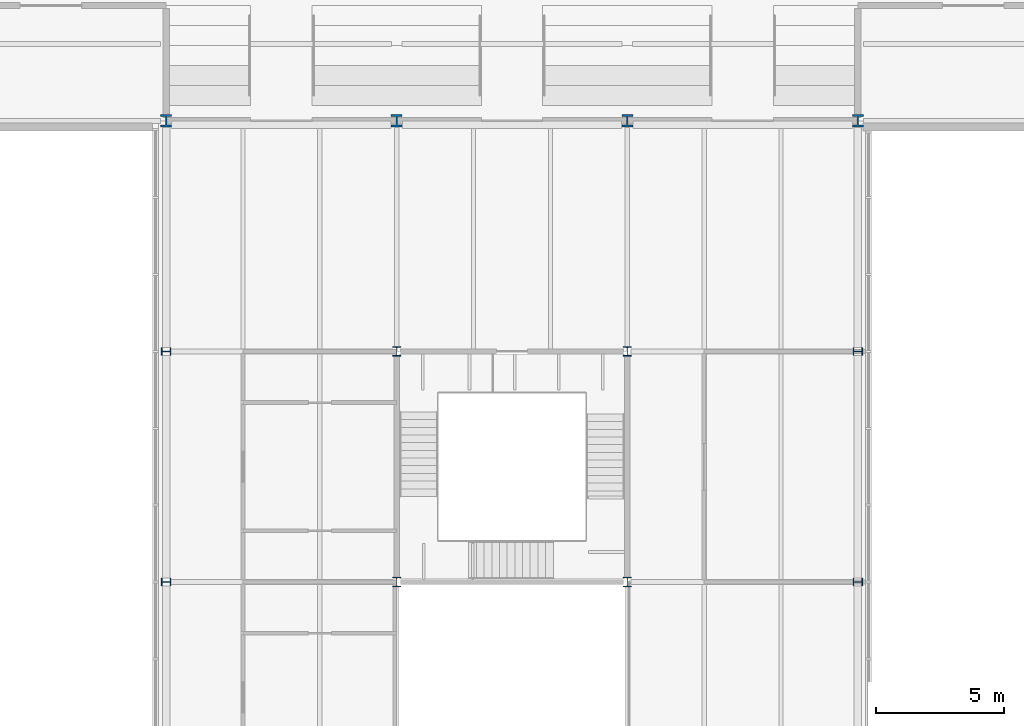
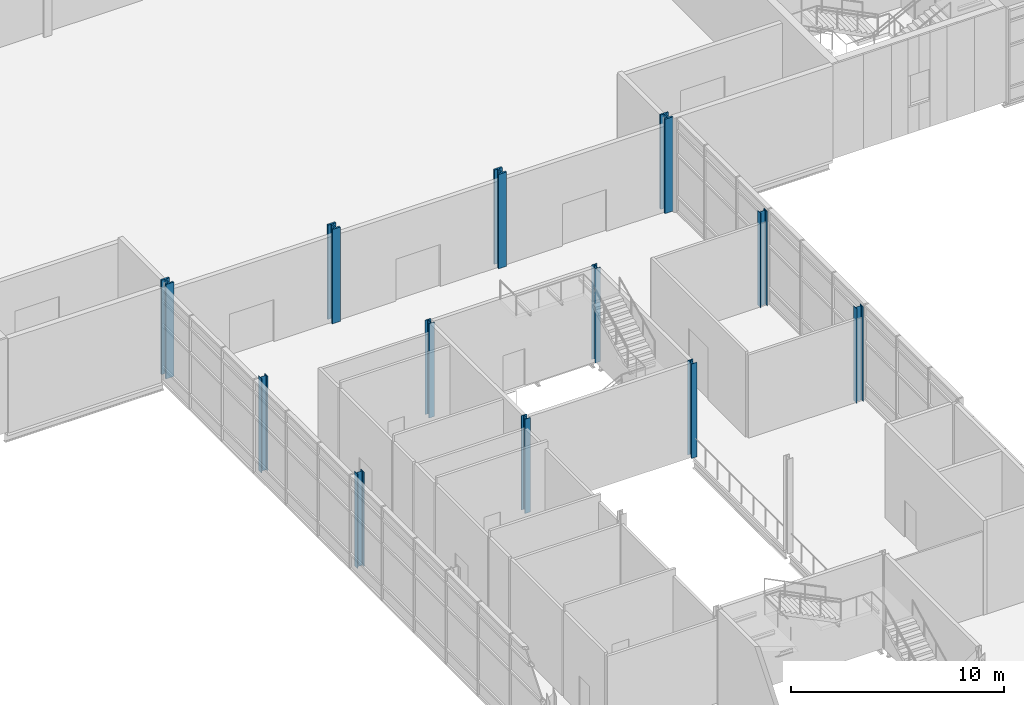
# One storey, part 4 of 52: 12 columns.
"""IFC4 building model written with IfcOpenShell, lengths in metres."""

from ifc_helpers import new_model, si_unit, direction, frame, origin, origin_2d, place, context, subcontext, project, spatial, i_section, extrude, material, material_profile, profile_set, type_object, element, save


model = new_model("IFC4")

# Units and contexts
model_context = context("Model", 3, precision=1e-05, world=origin(), true_north=direction((0.0, 1.0)))
body_context = subcontext(model_context, "Body", "Model", "MODEL_VIEW")
ifc_project = project(units=[si_unit("LENGTHUNIT", "METRE"), si_unit("AREAUNIT", "SQUARE_METRE"), si_unit("VOLUMEUNIT", "CUBIC_METRE"), si_unit("PLANEANGLEUNIT", "RADIAN"), si_unit("MASSUNIT", "GRAM", prefix="KILO")], contexts=[model_context])

# Site, building, storey
site_placement = place(None, origin())
site = spatial("IfcSite", under=ifc_project, at=site_placement, CompositionType="ELEMENT")
building_placement = place(site_placement, origin())
building = spatial("IfcBuilding", under=site, at=building_placement, Name="Azimuth Sports and Learning Centre", CompositionType="ELEMENT")
storey_placement = place(building_placement, frame((0.0, 0.0, 16.199951171875)))
storey = spatial("IfcBuildingStorey", under=building, at=storey_placement, Name="L03", CompositionType="ELEMENT", Elevation=16.199951171875)

# Columns
ifc_material_1 = material(Name="Steel S460", Category="steel")
ifc_material_profile_1 = material_profile(ifc_material_1, i_section(OverallWidth=0.431884765625, OverallDepth=0.498046875, WebThickness=0.0556640625, FlangeThickness=0.0888671875, FilletRadius=0.014892578125, at=origin_2d()), Name="HD 400x744")
ifc_profile_set_1 = profile_set([ifc_material_profile_1], Name="Steel S460")
column_type_1 = type_object("IfcColumnType", Name="Column HD 400x744", PredefinedType="COLUMN", material=ifc_profile_set_1)
for number, where, z_axis, x_axis, name in (
    (1, (72.0, 90.0, 0.0), (0.0, 0.0, 1.0), (1.0, 0.0, 0.0), "Column 9L L03"),
    (2, (81.0, 90.0, 0.0), (0.0, 0.0, 1.0), (1.0, 0.0, 0.0), "Column 10L L03"),
    (3, (90.0, 90.0, 0.0), (0.0, 0.0, 1.0), (1.0, 0.0, 0.0), "Column 11L L03"),
    (4, (99.0, 90.0, 0.0), (0.0, 0.0, 1.0), (1.0, 0.0, 0.0), "Column 12L L03"),
):
    element("IfcColumn", number, at=place(storey_placement, frame(where, z_axis=z_axis, x_axis=x_axis)), inside=storey, type_object=column_type_1, Name=name, PredefinedType="COLUMN", context=body_context, shape_type="SweptSolid", body=[
        extrude(i_section(OverallWidth=0.431884765625, OverallDepth=0.498046875, WebThickness=0.0556640625, FlangeThickness=0.0888671875, FilletRadius=0.014892578125, at=origin_2d()), origin(), (0.0, 0.0, 1.0), 5.400146484375),
    ])
ifc_material_2 = material(Name="Steel S355", Category="steel")
ifc_material_profile_2 = material_profile(ifc_material_2, i_section(OverallWidth=0.300048828125, OverallDepth=0.360107421875, WebThickness=0.012451171875, FlangeThickness=0.0224609375, FilletRadius=0.027099609375, at=origin_2d()), Name="HEB 360")
ifc_profile_set_2 = profile_set([ifc_material_profile_2], Name="Steel S355")
column_type_2 = type_object("IfcColumnType", Name="Column HEB 360", PredefinedType="COLUMN", material=ifc_profile_set_2)
for number, where, z_axis, x_axis, name in (
    (5, (72.0, 72.0, 0.0), (0.0, 0.0, 1.0), (0.0, 1.0, 0.0), "Column 9J L03"),
    (6, (81.0, 72.0, 0.0), (0.0, 0.0, 1.0), (1.0, 0.0, 0.0), "Column 10J L03"),
    (7, (90.0, 72.0, 0.0), (0.0, 0.0, 1.0), (1.0, 0.0, 0.0), "Column 11J L03"),
    (8, (99.0, 72.0, 0.0), (0.0, 0.0, 1.0), (0.0, 1.0, 0.0), "Column 12J L03"),
    (9, (72.0, 81.0, 0.0), (0.0, 0.0, 1.0), (0.0, 1.0, 0.0), "Column 9K L03"),
    (10, (81.0, 81.0, 0.0), (0.0, 0.0, 1.0), (1.0, 0.0, 0.0), "Column 10K L03"),
    (11, (90.0, 81.0, 0.0), (0.0, 0.0, 1.0), (1.0, 0.0, 0.0), "Column 11K L03"),
    (12, (99.0, 81.0, 0.0), (0.0, 0.0, 1.0), (0.0, 1.0, 0.0), "Column 12K L03"),
):
    element("IfcColumn", number, at=place(storey_placement, frame(where, z_axis=z_axis, x_axis=x_axis)), inside=storey, type_object=column_type_2, Name=name, PredefinedType="COLUMN", context=body_context, shape_type="SweptSolid", body=[
        extrude(i_section(OverallWidth=0.300048828125, OverallDepth=0.360107421875, WebThickness=0.012451171875, FlangeThickness=0.0224609375, FilletRadius=0.027099609375, at=origin_2d()), origin(), (0.0, 0.0, 1.0), 5.400146484375),
    ])

save(model, "model.ifc")
